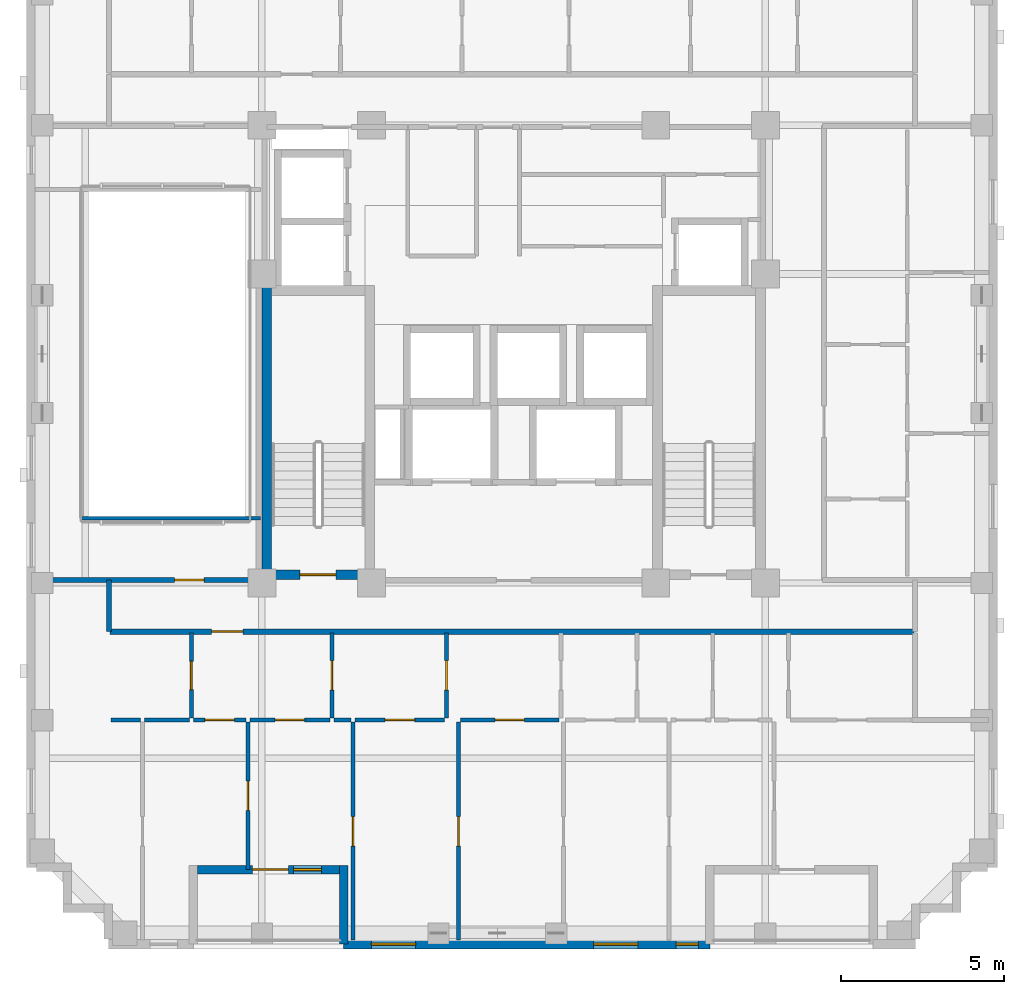
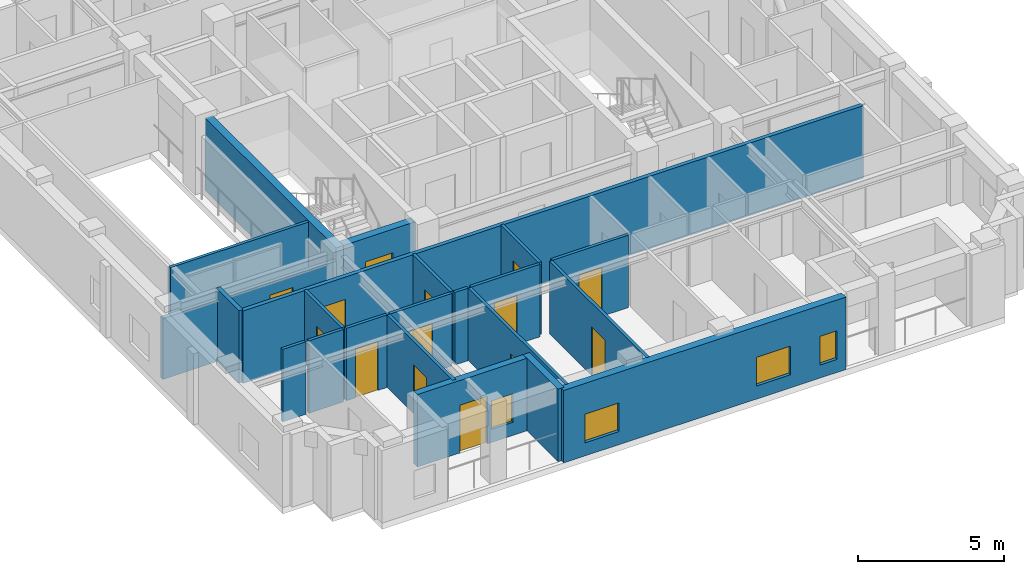
# One storey, part 4 of 13: 22 walls, 14 doors, 4 windows, 18 openings.
"""IFC4 building model written with IfcOpenShell, lengths in metres."""

from ifc_helpers import new_model, si_unit, derived_unit, direction, frame, frame_2d, origin, place, context, subcontext, project, spatial, rectangle, extrude, material, layer, layer_set, type_object, element, fill, save


model = new_model("IFC4")

# Units and contexts
model_context = context("Model", 3, precision=1e-05, world=origin(), true_north=direction((0.0, 1.0)))
body_context = subcontext(model_context, "Body", "Model", "MODEL_VIEW")
ifc_project = project(units=[si_unit("LENGTHUNIT", "METRE"), si_unit("AREAUNIT", "SQUARE_METRE"), si_unit("VOLUMEUNIT", "CUBIC_METRE"), si_unit("PLANEANGLEUNIT", "RADIAN"), si_unit("MASSUNIT", "GRAM", prefix="KILO"), derived_unit("THERMALTRANSMITTANCEUNIT", [(si_unit("MASSUNIT", "GRAM", prefix="KILO"), 1), (si_unit("TIMEUNIT", "SECOND"), -3), (si_unit("THERMODYNAMICTEMPERATUREUNIT", "KELVIN"), -1)])], contexts=[model_context])

# Site, building, storey
site_placement = place(None, origin())
site = spatial("IfcSite", under=ifc_project, at=site_placement, CompositionType="ELEMENT")
building_placement = place(site_placement, origin())
building = spatial("IfcBuilding", under=site, at=building_placement, Name="Korrvale Station Residences", CompositionType="ELEMENT")
storey_placement = place(building_placement, frame((0.0, 0.0, 177.699951171875)))
storey = spatial("IfcBuildingStorey", under=building, at=storey_placement, Name="L51", CompositionType="ELEMENT", Elevation=177.699951171875)

# Wall
ifc_material_1 = material(Name="Concrete C50/60", Category="concrete")
ifc_layer_1 = layer(ifc_material_1, 0.300048828125, Name="Concrete C50/60")
ifc_layer_set_1 = layer_set([ifc_layer_1], Name="Concrete C50/60")
wall_type_1 = type_object("IfcWallType", Name="WAL-CORE-300-C50", PredefinedType="SHEAR", material=ifc_layer_set_1)
wall_1_placement = place(storey_placement, frame((17.949951171875, 15.10009765625, 0.0), z_axis=(0.0, 0.0, 1.0), x_axis=(0.0, 1.0, 0.0)))
element("IfcWall", 1, at=wall_1_placement, inside=storey, type_object=wall_type_1, Name="L51 ST-1 Core Shear Wall West", PredefinedType="SHEAR", context=body_context, shape_type="SweptSolid", body=[
    extrude(rectangle(XDim=9.0, YDim=0.300048828125, at=frame_2d((4.5, 0.0))), origin(), (0.0, 0.0, 1.0), 3.0400390625),
])

# Wall, opening, door
wall_2_placement = place(storey_placement, frame((18.10009765625, 15.25, 0.0), z_axis=(0.0, 0.0, 1.0), x_axis=(1.0, 0.0, 0.0)))
wall_2 = element("IfcWall", 2, at=wall_2_placement, inside=storey, type_object=wall_type_1, Name="L51 ST-1 Core Shear Wall South", PredefinedType="SHEAR", context=body_context, shape_type="SweptSolid", body=[
    extrude(rectangle(XDim=2.849853515625, YDim=0.300048828125, at=frame_2d((1.4248046875, 0.0))), origin(), (0.0, 0.0, 1.0), 3.0400390625),
])
opening_1_placement = place(wall_2_placement, frame((0.860107421875, 0.0, 0.0)))
opening_1 = element("IfcOpeningElement", 3, at=opening_1_placement, cuts=wall_2, Name="Opening SD-1100", PredefinedType="OPENING", context=body_context, shape_type="SweptSolid", body=[
    extrude(rectangle(XDim=1.10009765625, YDim=2.050048828125, at=frame_2d((0.550048828125, 1.02490234375))), frame((0.0, 0.16015625, 0.0), z_axis=(0.0, -1.0, 0.0), x_axis=(1.0, 0.0, 0.0)), (0.0, 0.0, 1.0), 0.320068359375),
])
ifc_material_2 = material(Name="Hollow-metal fire-rated stair door with closer", Category="steel")
door_type_1 = type_object("IfcDoorType", Name="DR-STAIR-1100", OperationType="NOTDEFINED", PredefinedType="DOOR", material=ifc_material_2)
door_1_placement = place(opening_1_placement, origin())
door_1 = element("IfcDoor", 4, at=door_1_placement, inside=storey, type_object=door_type_1, Name="L51 ST-1 Exit Stair Door", OperationType="SINGLE_SWING_LEFT", OverallHeight=2.050048828125, OverallWidth=1.10009765625, PredefinedType="DOOR", context=body_context, shape_type="SweptSolid", body=[
    extrude(rectangle(XDim=1.10009765625, YDim=2.050048828125, at=frame_2d((0.550048828125, 1.02490234375))), frame((0.0, 0.02490234375, 0.0), z_axis=(0.0, -1.0, 0.0), x_axis=(1.0, 0.0, 0.0)), (0.0, 0.0, 1.0), 0.050048828125),
])
fill(opening_1, door_1)

# Wall
ifc_material_3 = material(Name="Precast concrete C45/55", Category="concrete")
ifc_layer_2 = layer(ifc_material_3, 0.260009765625, Name="Precast concrete C45/55")
ifc_layer_set_2 = layer_set([ifc_layer_2], Name="Precast concrete C45/55")
wall_type_2 = type_object("IfcWallType", Name="WAL-EXT-LOG260", PredefinedType="SOLIDWALL", material=ifc_layer_set_2)
wall_3_placement = place(storey_placement, frame((20.300048828125, 3.9599609375, 0.0), z_axis=(0.0, 0.0, 1.0), x_axis=(0.0, 1.0, 0.0)))
element("IfcWall", 5, at=wall_3_placement, inside=storey, type_object=wall_type_2, Name="L51 Recessed Loggia Wall BAL-L51-S1-L", PredefinedType="SOLIDWALL", context=body_context, shape_type="SweptSolid", body=[
    extrude(rectangle(XDim=2.400146484375, YDim=0.260009765625, at=frame_2d((1.2001953125, 0.0))), origin(), (0.0, 0.0, 1.0), 3.0400390625),
])

# Wall, openings, door, window
wall_4_placement = place(storey_placement, frame((20.166015625, 6.22998046875, 0.0), z_axis=(0.0, 0.0, 1.0), x_axis=(-1.0, 0.0, 0.0)))
wall_4 = element("IfcWall", 6, at=wall_4_placement, inside=storey, type_object=wall_type_2, Name="L51 Recessed Loggia Wall BAL-L51-S1-B", PredefinedType="SOLIDWALL", context=body_context, shape_type="SweptSolid", body=[
    extrude(rectangle(XDim=4.33203125, YDim=0.260009765625, at=frame_2d((2.166015625, 0.0))), origin(), (0.0, 0.0, 1.0), 3.0400390625),
])
opening_2_placement = place(wall_4_placement, frame((1.555908203125, 0.0, 0.0)))
opening_2 = element("IfcOpeningElement", 7, at=opening_2_placement, cuts=wall_4, Name="Opening BD-01", PredefinedType="OPENING", context=body_context, shape_type="SweptSolid", body=[
    extrude(rectangle(XDim=1.10009765625, YDim=2.0, at=frame_2d((0.550048828125, 1.0))), frame((0.0, 0.14013671875, 0.0), z_axis=(0.0, -1.0, 0.0), x_axis=(1.0, 0.0, 0.0)), (0.0, 0.0, 1.0), 0.280029296875),
])
opening_3_placement = place(wall_4_placement, frame((0.5458984375, 0.0, 0.550048828125)))
opening_3 = element("IfcOpeningElement", 8, at=opening_3_placement, cuts=wall_4, Name="Opening W-11", PredefinedType="OPENING", context=body_context, shape_type="SweptSolid", body=[
    extrude(rectangle(XDim=0.85009765625, YDim=1.199951171875, at=frame_2d((0.425048828125, 0.60009765625))), frame((0.0, 0.14013671875, 0.0), z_axis=(0.0, -1.0, 0.0), x_axis=(1.0, 0.0, 0.0)), (0.0, 0.0, 1.0), 0.280029296875),
])
ifc_material_4 = material(Name="Exterior thermally broken aluminium glazed balcony door", Category="aluminium")
door_type_2 = type_object("IfcDoorType", Name="DR-EXT-BAL", OperationType="NOTDEFINED", PredefinedType="DOOR", material=ifc_material_4)
door_2_placement = place(opening_2_placement, origin())
door_2 = element("IfcDoor", 9, at=door_2_placement, inside=storey, type_object=door_type_2, Name="L51 Loggia Balcony Door BAL-L51-S1", OperationType="SINGLE_SWING_LEFT", OverallHeight=2.0, OverallWidth=1.10009765625, PredefinedType="DOOR", context=body_context, shape_type="SweptSolid", body=[
    extrude(rectangle(XDim=1.10009765625, YDim=2.0, at=frame_2d((0.550048828125, 1.0))), frame((0.0, 0.02490234375, 0.0), z_axis=(0.0, -1.0, 0.0), x_axis=(1.0, 0.0, 0.0)), (0.0, 0.0, 1.0), 0.050048828125),
])
fill(opening_2, door_2)
ifc_material_5 = material(Name="Thermally broken aluminium frame with triple low-e glazing", Category="aluminium")
window_type_1 = type_object("IfcWindowType", Name="WIN-W11", PartitioningType="SINGLE_PANEL", PredefinedType="WINDOW", material=ifc_material_5)
window_1_placement = place(opening_3_placement, origin())
window_1 = element("IfcWindow", 10, at=window_1_placement, inside=storey, type_object=window_type_1, Name="L51 Punched Window 03", OverallHeight=1.199951171875, OverallWidth=0.85009765625, PartitioningType="SINGLE_PANEL", PredefinedType="WINDOW", context=body_context, shape_type="SweptSolid", body=[
    extrude(rectangle(XDim=0.85009765625, YDim=1.199951171875, at=frame_2d((0.425048828125, 0.60009765625))), frame((0.0, 0.030029296875, 0.0), z_axis=(0.0, -1.0, 0.0), x_axis=(1.0, 0.0, 0.0)), (0.0, 0.0, 1.0), 0.06005859375),
])
fill(opening_3, window_1)

# Wall, openings, windows
ifc_layer_3 = layer(ifc_material_3, 0.300048828125, Name="Precast concrete C45/55")
ifc_layer_set_3 = layer_set([ifc_layer_3], Name="Precast concrete C45/55")
wall_type_3 = type_object("IfcWallType", Name="WAL-EXT-PC300", PredefinedType="SOLIDWALL", material=ifc_layer_set_3)
wall_5_placement = place(storey_placement, frame((31.5, 3.949951171875, 0.0), z_axis=(0.0, 0.0, 1.0), x_axis=(-1.0, 0.0, 0.0)))
wall_5 = element("IfcWall", 11, at=wall_5_placement, inside=storey, type_object=wall_type_3, Name="L51 South Exterior Precast Wall 2", PredefinedType="SOLIDWALL", context=body_context, shape_type="SweptSolid", body=[
    extrude(rectangle(XDim=11.199951171875, YDim=0.300048828125, at=frame_2d((5.60009765625, 0.0))), origin(), (0.0, 0.0, 1.0), 3.0400390625),
])
opening_4_placement = place(wall_5_placement, frame((9.0, 0.0, 0.550048828125)))
opening_4 = element("IfcOpeningElement", 12, at=opening_4_placement, cuts=wall_5, Name="Opening W-10", PredefinedType="OPENING", context=body_context, shape_type="SweptSolid", body=[
    extrude(rectangle(XDim=1.35009765625, YDim=1.199951171875, at=frame_2d((0.675048828125, 0.60009765625))), frame((0.0, 0.16015625, 0.0), z_axis=(0.0, -1.0, 0.0), x_axis=(1.0, 0.0, 0.0)), (0.0, 0.0, 1.0), 0.320068359375),
])
opening_5_placement = place(wall_5_placement, frame((2.200927734375, 0.0, 0.550048828125)))
opening_5 = element("IfcOpeningElement", 13, at=opening_5_placement, cuts=wall_5, Name="Opening W-10", PredefinedType="OPENING", context=body_context, shape_type="SweptSolid", body=[
    extrude(rectangle(XDim=1.35009765625, YDim=1.199951171875, at=frame_2d((0.675048828125, 0.60009765625))), frame((0.0, 0.16015625, 0.0), z_axis=(0.0, -1.0, 0.0), x_axis=(1.0, 0.0, 0.0)), (0.0, 0.0, 1.0), 0.320068359375),
])
opening_6_placement = place(wall_5_placement, frame((0.35009765625, 0.0, 0.550048828125)))
opening_6 = element("IfcOpeningElement", 14, at=opening_6_placement, cuts=wall_5, Name="Opening W-12", PredefinedType="OPENING", context=body_context, shape_type="SweptSolid", body=[
    extrude(rectangle(XDim=0.679931640625, YDim=1.199951171875, at=frame_2d((0.33984375, 0.60009765625))), frame((0.0, 0.16015625, 0.0), z_axis=(0.0, -1.0, 0.0), x_axis=(1.0, 0.0, 0.0)), (0.0, 0.0, 1.0), 0.320068359375),
])
window_type_2 = type_object("IfcWindowType", Name="WIN-W10", PartitioningType="SINGLE_PANEL", PredefinedType="WINDOW", material=ifc_material_5)
window_2_placement = place(opening_4_placement, origin())
window_2 = element("IfcWindow", 15, at=window_2_placement, inside=storey, type_object=window_type_2, Name="L51 Punched Window 04", OverallHeight=1.199951171875, OverallWidth=1.35009765625, PartitioningType="SINGLE_PANEL", PredefinedType="WINDOW", context=body_context, shape_type="SweptSolid", body=[
    extrude(rectangle(XDim=1.35009765625, YDim=1.199951171875, at=frame_2d((0.675048828125, 0.60009765625))), frame((0.0, 0.030029296875, 0.0), z_axis=(0.0, -1.0, 0.0), x_axis=(1.0, 0.0, 0.0)), (0.0, 0.0, 1.0), 0.06005859375),
])
fill(opening_4, window_2)
window_3_placement = place(opening_5_placement, origin())
window_3 = element("IfcWindow", 16, at=window_3_placement, inside=storey, type_object=window_type_2, Name="L51 Punched Window 05", OverallHeight=1.199951171875, OverallWidth=1.35009765625, PartitioningType="SINGLE_PANEL", PredefinedType="WINDOW", context=body_context, shape_type="SweptSolid", body=[
    extrude(rectangle(XDim=1.35009765625, YDim=1.199951171875, at=frame_2d((0.675048828125, 0.60009765625))), frame((0.0, 0.030029296875, 0.0), z_axis=(0.0, -1.0, 0.0), x_axis=(1.0, 0.0, 0.0)), (0.0, 0.0, 1.0), 0.06005859375),
])
fill(opening_5, window_3)
window_type_3 = type_object("IfcWindowType", Name="WIN-W12", PartitioningType="SINGLE_PANEL", PredefinedType="WINDOW", material=ifc_material_5)
window_4_placement = place(opening_6_placement, origin())
window_4 = element("IfcWindow", 17, at=window_4_placement, inside=storey, type_object=window_type_3, Name="L51 Punched Window 06", OverallHeight=1.199951171875, OverallWidth=0.679931640625, PartitioningType="SINGLE_PANEL", PredefinedType="WINDOW", context=body_context, shape_type="SweptSolid", body=[
    extrude(rectangle(XDim=0.679931640625, YDim=1.199951171875, at=frame_2d((0.33984375, 0.60009765625))), frame((0.0, 0.030029296875, 0.0), z_axis=(0.0, -1.0, 0.0), x_axis=(1.0, 0.0, 0.0)), (0.0, 0.0, 1.0), 0.06005859375),
])
fill(opening_6, window_4)

# Wall
ifc_material_6 = material(Name="Acoustic steel-stud gypsum board partition", Category="steel")
ifc_layer_4 = layer(ifc_material_6, 0.1201171875, Name="Acoustic steel-stud gypsum board partition")
ifc_layer_set_4 = layer_set([ifc_layer_4], Name="Acoustic steel-stud gypsum board partition")
wall_type_4 = type_object("IfcWallType", Name="WAL-PART-125", PredefinedType="PARTITIONING", material=ifc_layer_set_4)
wall_6_placement = place(storey_placement, frame((12.280029296875, 16.97998046875, 0.0), z_axis=(0.0, 0.0, 1.0), x_axis=(1.0, 0.0, 0.0)))
element("IfcWall", 18, at=wall_6_placement, inside=storey, type_object=wall_type_4, Name="L51 Atrium Lounge Void Wall", PredefinedType="PARTITIONING", context=body_context, shape_type="SweptSolid", body=[
    extrude(rectangle(XDim=5.47998046875, YDim=0.1201171875, at=frame_2d((2.739990234375, 0.0))), origin(), (0.0, 0.0, 1.0), 3.0400390625),
])

# Wall, opening, door
wall_7_placement = place(storey_placement, frame((15.639892578125, 10.8701171875, 0.0), z_axis=(0.0, 0.0, 1.0), x_axis=(0.0, 1.0, 0.0)))
wall_7 = element("IfcWall", 19, at=wall_7_placement, inside=storey, type_object=wall_type_4, Name="L51 Suite Partition U01-V01", PredefinedType="PARTITIONING", context=body_context, shape_type="SweptSolid", body=[
    extrude(rectangle(XDim=2.599853515625, YDim=0.1201171875, at=frame_2d((1.2998046875, 0.0))), origin(), (0.0, 0.0, 1.0), 3.0400390625),
])
opening_7_placement = place(wall_7_placement, frame((0.8701171875, 0.0, 0.0)))
opening_7 = element("IfcOpeningElement", 20, at=opening_7_placement, cuts=wall_7, Name="Opening DB-860", PredefinedType="OPENING", context=body_context, shape_type="SweptSolid", body=[
    extrude(rectangle(XDim=0.860107421875, YDim=2.050048828125, at=frame_2d((0.43017578125, 1.02490234375))), frame((0.0, 0.070068359375, 0.0), z_axis=(0.0, -1.0, 0.0), x_axis=(1.0, 0.0, 0.0)), (0.0, 0.0, 1.0), 0.14013671875),
])
ifc_material_7 = material(Name="Moisture-resistant solid-core bathroom door", Category="timber")
door_type_3 = type_object("IfcDoorType", Name="DR-BATH-860", OperationType="NOTDEFINED", PredefinedType="DOOR", material=ifc_material_7)
door_3_placement = place(opening_7_placement, origin())
door_3 = element("IfcDoor", 21, at=door_3_placement, inside=storey, type_object=door_type_3, Name="L51 Studio Apartment L51-U01 Bathroom Door", OperationType="SINGLE_SWING_LEFT", OverallHeight=2.050048828125, OverallWidth=0.860107421875, PredefinedType="DOOR", context=body_context, shape_type="SweptSolid", body=[
    extrude(rectangle(XDim=0.860107421875, YDim=2.050048828125, at=frame_2d((0.43017578125, 1.02490234375))), frame((0.0, 0.02490234375, 0.0), z_axis=(0.0, -1.0, 0.0), x_axis=(1.0, 0.0, 0.0)), (0.0, 0.0, 1.0), 0.050048828125),
])
fill(opening_7, door_3)

# Walls
wall_8_placement = place(storey_placement, frame((13.179931640625, 10.81005859375, 0.0), z_axis=(0.0, 0.0, 1.0), x_axis=(1.0, 0.0, 0.0)))
element("IfcWall", 22, at=wall_8_placement, inside=storey, type_object=wall_type_4, Name="L51 Suite Partition U01-H08", PredefinedType="PARTITIONING", context=body_context, shape_type="SweptSolid", body=[
    extrude(rectangle(XDim=0.91015625, YDim=0.1201171875, at=frame_2d((0.455078125, 0.0))), origin(), (0.0, 0.0, 1.0), 3.0400390625),
])
wall_9_placement = place(storey_placement, frame((14.2099609375, 10.81005859375, 0.0), z_axis=(0.0, 0.0, 1.0), x_axis=(1.0, 0.0, 0.0)))
element("IfcWall", 23, at=wall_9_placement, inside=storey, type_object=wall_type_4, Name="L51 Suite Partition U01-H09", PredefinedType="PARTITIONING", context=body_context, shape_type="SweptSolid", body=[
    extrude(rectangle(XDim=1.3701171875, YDim=0.1201171875, at=frame_2d((0.68505859375, 0.0))), origin(), (0.0, 0.0, 1.0), 3.0400390625),
])

# Wall, opening, door
wall_10_placement = place(storey_placement, frame((19.93994140625, 10.8701171875, 0.0), z_axis=(0.0, 0.0, 1.0), x_axis=(0.0, 1.0, 0.0)))
wall_10 = element("IfcWall", 24, at=wall_10_placement, inside=storey, type_object=wall_type_4, Name="L51 Suite Partition U01-V12", PredefinedType="PARTITIONING", context=body_context, shape_type="SweptSolid", body=[
    extrude(rectangle(XDim=2.599853515625, YDim=0.1201171875, at=frame_2d((1.2998046875, 0.0))), origin(), (0.0, 0.0, 1.0), 3.0400390625),
])
opening_8_placement = place(wall_10_placement, frame((0.85009765625, 0.0, 0.0)))
opening_8 = element("IfcOpeningElement", 25, at=opening_8_placement, cuts=wall_10, Name="Opening DI-900", PredefinedType="OPENING", context=body_context, shape_type="SweptSolid", body=[
    extrude(rectangle(XDim=0.89990234375, YDim=2.050048828125, at=frame_2d((0.449951171875, 1.02490234375))), frame((0.0, 0.070068359375, 0.0), z_axis=(0.0, -1.0, 0.0), x_axis=(1.0, 0.0, 0.0)), (0.0, 0.0, 1.0), 0.14013671875),
])
ifc_material_8 = material(Name="Painted solid-core timber interior room door", Category="wood")
door_type_4 = type_object("IfcDoorType", Name="DR-INT-900", OperationType="NOTDEFINED", PredefinedType="DOOR", material=ifc_material_8)
door_4_placement = place(opening_8_placement, origin())
door_4 = element("IfcDoor", 26, at=door_4_placement, inside=storey, type_object=door_type_4, Name="L51 Studio Apartment L51-U01 Kitchen Door", OperationType="SINGLE_SWING_RIGHT", OverallHeight=2.050048828125, OverallWidth=0.89990234375, PredefinedType="DOOR", context=body_context, shape_type="SweptSolid", body=[
    extrude(rectangle(XDim=0.89990234375, YDim=2.050048828125, at=frame_2d((0.449951171875, 1.02490234375))), frame((0.0, 0.02490234375, 0.0), z_axis=(0.0, -1.0, 0.0), x_axis=(1.0, 0.0, 0.0)), (0.0, 0.0, 1.0), 0.050048828125),
])
fill(opening_8, door_4)

wall_11_placement = place(storey_placement, frame((15.699951171875, 10.81005859375, 0.0), z_axis=(0.0, 0.0, 1.0), x_axis=(1.0, 0.0, 0.0)))
wall_11 = element("IfcWall", 27, at=wall_11_placement, inside=storey, type_object=wall_type_4, Name="L51 Suite Partition U01-H19", PredefinedType="PARTITIONING", context=body_context, shape_type="SweptSolid", body=[
    extrude(rectangle(XDim=1.610107421875, YDim=0.1201171875, at=frame_2d((0.80517578125, 0.0))), origin(), (0.0, 0.0, 1.0), 3.0400390625),
])
opening_9_placement = place(wall_11_placement, frame((0.35498046875, 0.0, 0.0)))
opening_9 = element("IfcOpeningElement", 28, at=opening_9_placement, cuts=wall_11, Name="Opening DI-900", PredefinedType="OPENING", context=body_context, shape_type="SweptSolid", body=[
    extrude(rectangle(XDim=0.89990234375, YDim=2.050048828125, at=frame_2d((0.449951171875, 1.02490234375))), frame((0.0, 0.070068359375, 0.0), z_axis=(0.0, -1.0, 0.0), x_axis=(1.0, 0.0, 0.0)), (0.0, 0.0, 1.0), 0.14013671875),
])
door_5_placement = place(opening_9_placement, origin())
door_5 = element("IfcDoor", 29, at=door_5_placement, inside=storey, type_object=door_type_4, Name="L51 Studio Apartment L51-U01 Kitchen Door", OperationType="SINGLE_SWING_LEFT", OverallHeight=2.050048828125, OverallWidth=0.89990234375, PredefinedType="DOOR", context=body_context, shape_type="SweptSolid", body=[
    extrude(rectangle(XDim=0.89990234375, YDim=2.050048828125, at=frame_2d((0.449951171875, 1.02490234375))), frame((0.0, 0.02490234375, 0.0), z_axis=(0.0, -1.0, 0.0), x_axis=(1.0, 0.0, 0.0)), (0.0, 0.0, 1.0), 0.050048828125),
])
fill(opening_9, door_5)

wall_12_placement = place(storey_placement, frame((17.429931640625, 10.81005859375, 0.0), z_axis=(0.0, 0.0, 1.0), x_axis=(1.0, 0.0, 0.0)))
wall_12 = element("IfcWall", 30, at=wall_12_placement, inside=storey, type_object=wall_type_4, Name="L51 Suite Partition U01-H110", PredefinedType="PARTITIONING", context=body_context, shape_type="SweptSolid", body=[
    extrude(rectangle(XDim=2.449951171875, YDim=0.1201171875, at=frame_2d((1.22509765625, 0.0))), origin(), (0.0, 0.0, 1.0), 3.0400390625),
])
opening_10_placement = place(wall_12_placement, frame((0.77490234375, 0.0, 0.0)))
opening_10 = element("IfcOpeningElement", 31, at=opening_10_placement, cuts=wall_12, Name="Opening DI-900", PredefinedType="OPENING", context=body_context, shape_type="SweptSolid", body=[
    extrude(rectangle(XDim=0.89990234375, YDim=2.050048828125, at=frame_2d((0.449951171875, 1.02490234375))), frame((0.0, 0.070068359375, 0.0), z_axis=(0.0, -1.0, 0.0), x_axis=(1.0, 0.0, 0.0)), (0.0, 0.0, 1.0), 0.14013671875),
])
door_6_placement = place(opening_10_placement, origin())
door_6 = element("IfcDoor", 32, at=door_6_placement, inside=storey, type_object=door_type_4, Name="L51 Studio Apartment L51-U01 Kitchen Door", OperationType="SINGLE_SWING_RIGHT", OverallHeight=2.050048828125, OverallWidth=0.89990234375, PredefinedType="DOOR", context=body_context, shape_type="SweptSolid", body=[
    extrude(rectangle(XDim=0.89990234375, YDim=2.050048828125, at=frame_2d((0.449951171875, 1.02490234375))), frame((0.0, 0.02490234375, 0.0), z_axis=(0.0, -1.0, 0.0), x_axis=(1.0, 0.0, 0.0)), (0.0, 0.0, 1.0), 0.050048828125),
])
fill(opening_10, door_6)

wall_13_placement = place(storey_placement, frame((23.445068359375, 10.8701171875, 0.0), z_axis=(0.0, 0.0, 1.0), x_axis=(0.0, 1.0, 0.0)))
wall_13 = element("IfcWall", 33, at=wall_13_placement, inside=storey, type_object=wall_type_4, Name="L51 Suite Partition U01-V23", PredefinedType="PARTITIONING", context=body_context, shape_type="SweptSolid", body=[
    extrude(rectangle(XDim=2.599853515625, YDim=0.1201171875, at=frame_2d((1.2998046875, 0.0))), origin(), (0.0, 0.0, 1.0), 3.0400390625),
])
opening_11_placement = place(wall_13_placement, frame((0.85009765625, 0.0, 0.0)))
opening_11 = element("IfcOpeningElement", 34, at=opening_11_placement, cuts=wall_13, Name="Opening DI-900", PredefinedType="OPENING", context=body_context, shape_type="SweptSolid", body=[
    extrude(rectangle(XDim=0.89990234375, YDim=2.050048828125, at=frame_2d((0.449951171875, 1.02490234375))), frame((0.0, 0.070068359375, 0.0), z_axis=(0.0, -1.0, 0.0), x_axis=(1.0, 0.0, 0.0)), (0.0, 0.0, 1.0), 0.14013671875),
])
door_7_placement = place(opening_11_placement, origin())
door_7 = element("IfcDoor", 35, at=door_7_placement, inside=storey, type_object=door_type_4, Name="L51 Studio Apartment L51-U01 Home Study Room Door", OperationType="SINGLE_SWING_LEFT", OverallHeight=2.050048828125, OverallWidth=0.89990234375, PredefinedType="DOOR", context=body_context, shape_type="SweptSolid", body=[
    extrude(rectangle(XDim=0.89990234375, YDim=2.050048828125, at=frame_2d((0.449951171875, 1.02490234375))), frame((0.0, 0.02490234375, 0.0), z_axis=(0.0, -1.0, 0.0), x_axis=(1.0, 0.0, 0.0)), (0.0, 0.0, 1.0), 0.050048828125),
])
fill(opening_11, door_7)

# Wall
wall_14_placement = place(storey_placement, frame((20.0, 10.81005859375, 0.0), z_axis=(0.0, 0.0, 1.0), x_axis=(1.0, 0.0, 0.0)))
element("IfcWall", 36, at=wall_14_placement, inside=storey, type_object=wall_type_4, Name="L51 Suite Partition U01-H210", PredefinedType="PARTITIONING", context=body_context, shape_type="SweptSolid", body=[
    extrude(rectangle(XDim=0.530029296875, YDim=0.1201171875, at=frame_2d((0.26513671875, 0.0))), origin(), (0.0, 0.0, 1.0), 3.0400390625),
])

# Wall, opening, door
wall_15_placement = place(storey_placement, frame((20.64990234375, 10.81005859375, 0.0), z_axis=(0.0, 0.0, 1.0), x_axis=(1.0, 0.0, 0.0)))
wall_15 = element("IfcWall", 37, at=wall_15_placement, inside=storey, type_object=wall_type_4, Name="L51 Suite Partition U01-H211", PredefinedType="PARTITIONING", context=body_context, shape_type="SweptSolid", body=[
    extrude(rectangle(XDim=2.735107421875, YDim=0.1201171875, at=frame_2d((1.36767578125, 0.0))), origin(), (0.0, 0.0, 1.0), 3.0400390625),
])
opening_12_placement = place(wall_15_placement, frame((0.91796875, 0.0, 0.0)))
opening_12 = element("IfcOpeningElement", 38, at=opening_12_placement, cuts=wall_15, Name="Opening DI-900", PredefinedType="OPENING", context=body_context, shape_type="SweptSolid", body=[
    extrude(rectangle(XDim=0.89990234375, YDim=2.050048828125, at=frame_2d((0.449951171875, 1.02490234375))), frame((0.0, 0.070068359375, 0.0), z_axis=(0.0, -1.0, 0.0), x_axis=(1.0, 0.0, 0.0)), (0.0, 0.0, 1.0), 0.14013671875),
])
door_8_placement = place(opening_12_placement, origin())
door_8 = element("IfcDoor", 39, at=door_8_placement, inside=storey, type_object=door_type_4, Name="L51 Studio Apartment L51-U01 Home Study Room Door", OperationType="SINGLE_SWING_RIGHT", OverallHeight=2.050048828125, OverallWidth=0.89990234375, PredefinedType="DOOR", context=body_context, shape_type="SweptSolid", body=[
    extrude(rectangle(XDim=0.89990234375, YDim=2.050048828125, at=frame_2d((0.449951171875, 1.02490234375))), frame((0.0, 0.02490234375, 0.0), z_axis=(0.0, -1.0, 0.0), x_axis=(1.0, 0.0, 0.0)), (0.0, 0.0, 1.0), 0.050048828125),
])
fill(opening_12, door_8)

wall_16_placement = place(storey_placement, frame((23.8701171875, 10.81005859375, 0.0), z_axis=(0.0, 0.0, 1.0), x_axis=(1.0, 0.0, 0.0)))
wall_16 = element("IfcWall", 40, at=wall_16_placement, inside=storey, type_object=wall_type_4, Name="L51 Suite Partition U01-H312", PredefinedType="PARTITIONING", context=body_context, shape_type="SweptSolid", body=[
    extrude(rectangle(XDim=3.019775390625, YDim=0.1201171875, at=frame_2d((1.509765625, 0.0))), origin(), (0.0, 0.0, 1.0), 3.0400390625),
])
opening_13_placement = place(wall_16_placement, frame((1.06005859375, 0.0, 0.0)))
opening_13 = element("IfcOpeningElement", 41, at=opening_13_placement, cuts=wall_16, Name="Opening DI-900", PredefinedType="OPENING", context=body_context, shape_type="SweptSolid", body=[
    extrude(rectangle(XDim=0.89990234375, YDim=2.050048828125, at=frame_2d((0.449951171875, 1.02490234375))), frame((0.0, 0.070068359375, 0.0), z_axis=(0.0, -1.0, 0.0), x_axis=(1.0, 0.0, 0.0)), (0.0, 0.0, 1.0), 0.14013671875),
])
door_9_placement = place(opening_13_placement, origin())
door_9 = element("IfcDoor", 42, at=door_9_placement, inside=storey, type_object=door_type_4, Name="L51 Studio Apartment L51-U01 Home Study Room Door", OperationType="SINGLE_SWING_RIGHT", OverallHeight=2.050048828125, OverallWidth=0.89990234375, PredefinedType="DOOR", context=body_context, shape_type="SweptSolid", body=[
    extrude(rectangle(XDim=0.89990234375, YDim=2.050048828125, at=frame_2d((0.449951171875, 1.02490234375))), frame((0.0, 0.02490234375, 0.0), z_axis=(0.0, -1.0, 0.0), x_axis=(1.0, 0.0, 0.0)), (0.0, 0.0, 1.0), 0.050048828125),
])
fill(opening_13, door_9)

wall_17_placement = place(storey_placement, frame((17.3701171875, 6.22998046875, 0.0), z_axis=(0.0, 0.0, 1.0), x_axis=(0.0, 1.0, 0.0)))
wall_17 = element("IfcWall", 43, at=wall_17_placement, inside=storey, type_object=wall_type_4, Name="L51 Suite Partition U01-V910", PredefinedType="PARTITIONING", context=body_context, shape_type="SweptSolid", body=[
    extrude(rectangle(XDim=4.52001953125, YDim=0.1201171875, at=frame_2d((2.260009765625, 0.0))), origin(), (0.0, 0.0, 1.0), 3.0400390625),
])
opening_14_placement = place(wall_17_placement, frame((1.81005859375, 0.0, 0.0)))
opening_14 = element("IfcOpeningElement", 44, at=opening_14_placement, cuts=wall_17, Name="Opening DI-900", PredefinedType="OPENING", context=body_context, shape_type="SweptSolid", body=[
    extrude(rectangle(XDim=0.89990234375, YDim=2.050048828125, at=frame_2d((0.449951171875, 1.02490234375))), frame((0.0, 0.070068359375, 0.0), z_axis=(0.0, -1.0, 0.0), x_axis=(1.0, 0.0, 0.0)), (0.0, 0.0, 1.0), 0.14013671875),
])
door_10_placement = place(opening_14_placement, origin())
door_10 = element("IfcDoor", 45, at=door_10_placement, inside=storey, type_object=door_type_4, Name="L51 Studio Apartment L51-U01 Formal Dining Room Door", OperationType="SINGLE_SWING_LEFT", OverallHeight=2.050048828125, OverallWidth=0.89990234375, PredefinedType="DOOR", context=body_context, shape_type="SweptSolid", body=[
    extrude(rectangle(XDim=0.89990234375, YDim=2.050048828125, at=frame_2d((0.449951171875, 1.02490234375))), frame((0.0, 0.02490234375, 0.0), z_axis=(0.0, -1.0, 0.0), x_axis=(1.0, 0.0, 0.0)), (0.0, 0.0, 1.0), 0.050048828125),
])
fill(opening_14, door_10)

wall_18_placement = place(storey_placement, frame((20.590087890625, 4.080078125, 0.0), z_axis=(0.0, 0.0, 1.0), x_axis=(0.0, 1.0, 0.0)))
wall_18 = element("IfcWall", 46, at=wall_18_placement, inside=storey, type_object=wall_type_4, Name="L51 Suite Partition U01-V1011", PredefinedType="PARTITIONING", context=body_context, shape_type="SweptSolid", body=[
    extrude(rectangle(XDim=6.669921875, YDim=0.1201171875, at=frame_2d((3.3349609375, 0.0))), origin(), (0.0, 0.0, 1.0), 3.0400390625),
])
opening_15_placement = place(wall_18_placement, frame((2.8701171875, 0.0, 0.0)))
opening_15 = element("IfcOpeningElement", 47, at=opening_15_placement, cuts=wall_18, Name="Opening DI-900", PredefinedType="OPENING", context=body_context, shape_type="SweptSolid", body=[
    extrude(rectangle(XDim=0.89990234375, YDim=2.050048828125, at=frame_2d((0.449951171875, 1.02490234375))), frame((0.0, 0.070068359375, 0.0), z_axis=(0.0, -1.0, 0.0), x_axis=(1.0, 0.0, 0.0)), (0.0, 0.0, 1.0), 0.14013671875),
])
door_11_placement = place(opening_15_placement, origin())
door_11 = element("IfcDoor", 48, at=door_11_placement, inside=storey, type_object=door_type_4, Name="L51 Studio Apartment L51-U01 Formal Dining Room Door", OperationType="SINGLE_SWING_RIGHT", OverallHeight=2.050048828125, OverallWidth=0.89990234375, PredefinedType="DOOR", context=body_context, shape_type="SweptSolid", body=[
    extrude(rectangle(XDim=0.89990234375, YDim=2.050048828125, at=frame_2d((0.449951171875, 1.02490234375))), frame((0.0, 0.02490234375, 0.0), z_axis=(0.0, -1.0, 0.0), x_axis=(1.0, 0.0, 0.0)), (0.0, 0.0, 1.0), 0.050048828125),
])
fill(opening_15, door_11)

wall_19_placement = place(storey_placement, frame((23.81005859375, 4.080078125, 0.0), z_axis=(0.0, 0.0, 1.0), x_axis=(0.0, 1.0, 0.0)))
wall_19 = element("IfcWall", 49, at=wall_19_placement, inside=storey, type_object=wall_type_4, Name="L51 Suite Partition U01-V1112", PredefinedType="PARTITIONING", context=body_context, shape_type="SweptSolid", body=[
    extrude(rectangle(XDim=6.669921875, YDim=0.1201171875, at=frame_2d((3.3349609375, 0.0))), origin(), (0.0, 0.0, 1.0), 3.0400390625),
])
opening_16_placement = place(wall_19_placement, frame((2.8701171875, 0.0, 0.0)))
opening_16 = element("IfcOpeningElement", 50, at=opening_16_placement, cuts=wall_19, Name="Opening DI-900", PredefinedType="OPENING", context=body_context, shape_type="SweptSolid", body=[
    extrude(rectangle(XDim=0.89990234375, YDim=2.050048828125, at=frame_2d((0.449951171875, 1.02490234375))), frame((0.0, 0.070068359375, 0.0), z_axis=(0.0, -1.0, 0.0), x_axis=(1.0, 0.0, 0.0)), (0.0, 0.0, 1.0), 0.14013671875),
])
door_12_placement = place(opening_16_placement, origin())
door_12 = element("IfcDoor", 51, at=door_12_placement, inside=storey, type_object=door_type_4, Name="L51 Studio Apartment L51-U01 Formal Dining Room Door", OperationType="SINGLE_SWING_LEFT", OverallHeight=2.050048828125, OverallWidth=0.89990234375, PredefinedType="DOOR", context=body_context, shape_type="SweptSolid", body=[
    extrude(rectangle(XDim=0.89990234375, YDim=2.050048828125, at=frame_2d((0.449951171875, 1.02490234375))), frame((0.0, 0.02490234375, 0.0), z_axis=(0.0, -1.0, 0.0), x_axis=(1.0, 0.0, 0.0)), (0.0, 0.0, 1.0), 0.050048828125),
])
fill(opening_16, door_12)

# Wall
ifc_material_9 = material(Name="Fire-rated twin-stud gypsum and mineral wool shaftwall assembly", Category="gypsum")
ifc_layer_5 = layer(ifc_material_9, 0.159912109375, Name="Fire-rated twin-stud gypsum and mineral wool shaftwall assembly")
ifc_layer_set_5 = layer_set([ifc_layer_5], Name="Fire-rated twin-stud gypsum and mineral wool shaftwall assembly")
wall_type_5 = type_object("IfcWallType", Name="WAL-PART-200", PredefinedType="PARTITIONING", material=ifc_layer_set_5)
wall_20_placement = place(storey_placement, frame((13.1201171875, 13.510009765625, 0.0), z_axis=(0.0, 0.0, 1.0), x_axis=(0.0, 1.0, 0.0)))
element("IfcWall", 52, at=wall_20_placement, inside=storey, type_object=wall_type_5, Name="L51 Corridor South West Cap", PredefinedType="PARTITIONING", context=body_context, shape_type="SweptSolid", body=[
    extrude(rectangle(XDim=1.580078125, YDim=0.159912109375, at=frame_2d((0.7900390625, 0.0))), origin(), (0.0, 0.0, 1.0), 3.0400390625),
])

# Wall, opening, door
wall_21_placement = place(storey_placement, frame((10.8798828125, 15.090087890625, 0.0), z_axis=(0.0, 0.0, 1.0), x_axis=(1.0, 0.0, 0.0)))
wall_21 = element("IfcWall", 53, at=wall_21_placement, inside=storey, type_object=wall_type_5, Name="L51 Atrium Lounge South Wall", PredefinedType="PARTITIONING", context=body_context, shape_type="SweptSolid", body=[
    extrude(rectangle(XDim=6.880126953125, YDim=0.159912109375, at=frame_2d((3.43994140625, 0.0))), origin(), (0.0, 0.0, 1.0), 2.55615234375),
])
opening_17_placement = place(wall_21_placement, frame((4.25, 0.0, 0.0)))
opening_17 = element("IfcOpeningElement", 54, at=opening_17_placement, cuts=wall_21, Name="Opening DI-900", PredefinedType="OPENING", context=body_context, shape_type="SweptSolid", body=[
    extrude(rectangle(XDim=0.89990234375, YDim=2.050048828125, at=frame_2d((0.449951171875, 1.02490234375))), frame((0.0, 0.08984375, 0.0), z_axis=(0.0, -1.0, 0.0), x_axis=(1.0, 0.0, 0.0)), (0.0, 0.0, 1.0), 0.179931640625),
])
door_13_placement = place(opening_17_placement, origin())
door_13 = element("IfcDoor", 55, at=door_13_placement, inside=storey, type_object=door_type_4, Name="L51 Atrium Lounge South Door", OperationType="SINGLE_SWING_LEFT", OverallHeight=2.050048828125, OverallWidth=0.89990234375, PredefinedType="DOOR", context=body_context, shape_type="SweptSolid", body=[
    extrude(rectangle(XDim=0.89990234375, YDim=2.050048828125, at=frame_2d((0.449951171875, 1.02490234375))), frame((0.0, 0.02490234375, 0.0), z_axis=(0.0, -1.0, 0.0), x_axis=(1.0, 0.0, 0.0)), (0.0, 0.0, 1.0), 0.050048828125),
])
fill(opening_17, door_13)

wall_22_placement = place(storey_placement, frame((13.14990234375, 13.510009765625, 0.0), z_axis=(0.0, 0.0, 1.0), x_axis=(1.0, 0.0, 0.0)))
wall_22 = element("IfcWall", 56, at=wall_22_placement, inside=storey, type_object=wall_type_5, Name="L51 Rated Corridor Wall S", PredefinedType="PARTITIONING", context=body_context, shape_type="SweptSolid", body=[
    extrude(rectangle(XDim=24.60009765625, YDim=0.159912109375, at=frame_2d((12.300048828125, 0.0))), origin(), (0.0, 0.0, 1.0), 3.0400390625),
])
opening_18_placement = place(wall_22_placement, frame((3.114990234375, 0.0, 0.0)))
opening_18 = element("IfcOpeningElement", 57, at=opening_18_placement, cuts=wall_22, Name="Opening UD-950", PredefinedType="OPENING", context=body_context, shape_type="SweptSolid", body=[
    extrude(rectangle(XDim=0.949951171875, YDim=2.10009765625, at=frame_2d((0.47509765625, 1.050048828125))), frame((0.0, 0.08984375, 0.0), z_axis=(0.0, -1.0, 0.0), x_axis=(1.0, 0.0, 0.0)), (0.0, 0.0, 1.0), 0.179931640625),
])
ifc_material_10 = material(Name="Solid-core acoustic oak apartment entrance door", Category="timber")
door_type_5 = type_object("IfcDoorType", Name="DR-UNIT-950", OperationType="NOTDEFINED", PredefinedType="DOOR", material=ifc_material_10)
door_14_placement = place(opening_18_placement, origin())
door_14 = element("IfcDoor", 58, at=door_14_placement, inside=storey, type_object=door_type_5, Name="L51 Apartment L51-U01 Entrance Door", OperationType="SINGLE_SWING_RIGHT", OverallHeight=2.10009765625, OverallWidth=0.949951171875, PredefinedType="DOOR", context=body_context, shape_type="SweptSolid", body=[
    extrude(rectangle(XDim=0.949951171875, YDim=2.10009765625, at=frame_2d((0.47509765625, 1.050048828125))), frame((0.0, 0.02490234375, 0.0), z_axis=(0.0, -1.0, 0.0), x_axis=(1.0, 0.0, 0.0)), (0.0, 0.0, 1.0), 0.050048828125),
])
fill(opening_18, door_14)

save(model, "model.ifc")
